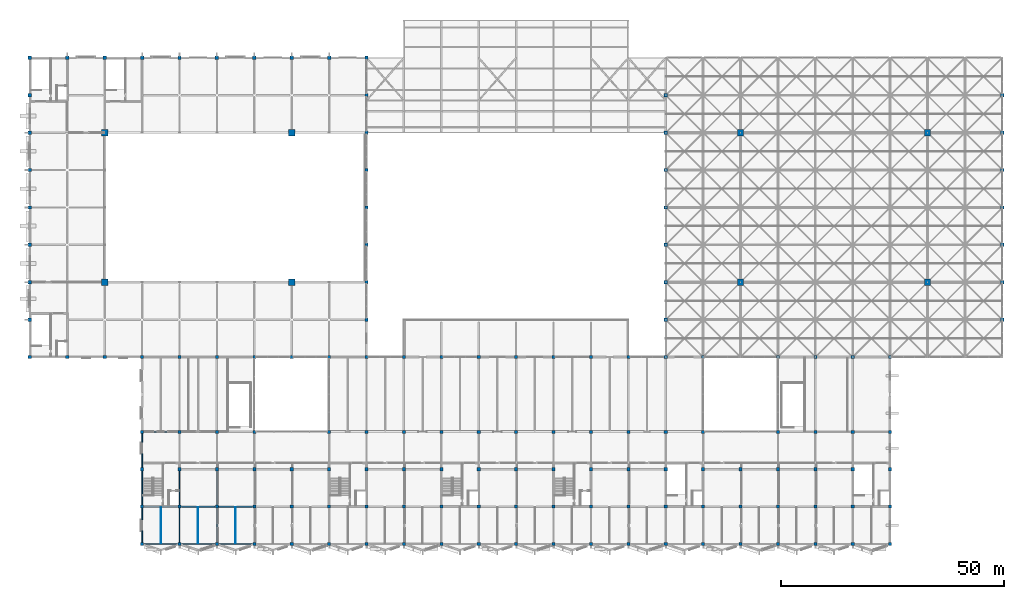
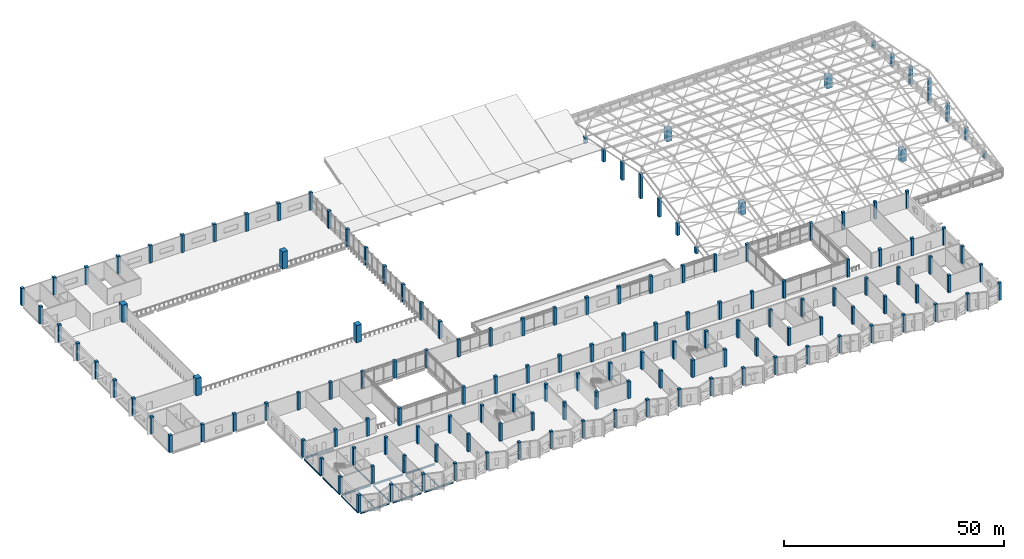
# One storey, part 1 of 110: 151 columns, 17 beams.
"""IFC4 building model written with IfcOpenShell, lengths in metres."""

from ifc_helpers import new_model, si_unit, direction, frame, origin, origin_2d, place, context, subcontext, project, spatial, rectangle, i_section, extrude, material, material_profile, profile_set, type_object, element, save


model = new_model("IFC4")

# Units and contexts
model_context = context("Model", 3, precision=1e-05, world=origin(), true_north=direction((0.0, 1.0)))
body_context = subcontext(model_context, "Body", "Model", "MODEL_VIEW")
ifc_project = project(units=[si_unit("LENGTHUNIT", "METRE"), si_unit("AREAUNIT", "SQUARE_METRE"), si_unit("VOLUMEUNIT", "CUBIC_METRE"), si_unit("PLANEANGLEUNIT", "RADIAN"), si_unit("MASSUNIT", "GRAM", prefix="KILO")], contexts=[model_context])

# Site, building, storey
site_placement = place(None, origin())
site = spatial("IfcSite", under=ifc_project, at=site_placement, CompositionType="ELEMENT")
building_placement = place(site_placement, origin())
building = spatial("IfcBuilding", under=site, at=building_placement, Name="Qawsi Khor Wholesale Market", CompositionType="ELEMENT")
storey_placement = place(building_placement, frame((0.0, 0.0, 11.39990234375)))
storey = spatial("IfcBuildingStorey", under=building, at=storey_placement, Name="L02", CompositionType="ELEMENT", Elevation=11.39990234375)

# Columns
ifc_material_1 = material(Name="Concrete C40/50", Category="concrete")
ifc_material_profile_1 = material_profile(ifc_material_1, rectangle(XDim=0.699951171875, YDim=0.699951171875, at=origin_2d()), Name="RC 700x700")
ifc_profile_set_1 = profile_set([ifc_material_profile_1], Name="Concrete C40/50")
column_type_1 = type_object("IfcColumnType", Name="Column RC 700x700", PredefinedType="COLUMN", material=ifc_profile_set_1)
for number, where, z_axis, x_axis, name in (
    (1, (25.199951171875, 0.0, 0.0), (0.0, 0.0, 1.0), (1.0, 0.0, 0.0), "Column RC 700x700 L02 (3,0)"),
    (2, (25.199951171875, 8.39990234375, 0.0), (0.0, 0.0, 1.0), (1.0, 0.0, 0.0), "Column RC 700x700 L02 (3,1)"),
    (3, (25.199951171875, 16.800048828125, 0.0), (0.0, 0.0, 1.0), (1.0, 0.0, 0.0), "Column RC 700x700 L02 (3,2)"),
    (4, (25.199951171875, 25.199951171875, 0.0), (0.0, 0.0, 1.0), (1.0, 0.0, 0.0), "Column RC 700x700 L02 (3,3)"),
    (5, (25.199951171875, 42.0, 0.0), (0.0, 0.0, 1.0), (1.0, 0.0, 0.0), "Column RC 700x700 L02 (3,5)"),
    (6, (33.60009765625, 0.0, 0.0), (0.0, 0.0, 1.0), (1.0, 0.0, 0.0), "Column RC 700x700 L02 (4,0)"),
    (7, (33.60009765625, 8.39990234375, 0.0), (0.0, 0.0, 1.0), (1.0, 0.0, 0.0), "Column RC 700x700 L02 (4,1)"),
    (8, (33.60009765625, 16.800048828125, 0.0), (0.0, 0.0, 1.0), (1.0, 0.0, 0.0), "Column RC 700x700 L02 (4,2)"),
    (9, (33.60009765625, 25.199951171875, 0.0), (0.0, 0.0, 1.0), (1.0, 0.0, 0.0), "Column RC 700x700 L02 (4,3)"),
    (10, (33.60009765625, 42.0, 0.0), (0.0, 0.0, 1.0), (1.0, 0.0, 0.0), "Column RC 700x700 L02 (4,5)"),
    (11, (42.0, 0.0, 0.0), (0.0, 0.0, 1.0), (1.0, 0.0, 0.0), "Column RC 700x700 L02 (5,0)"),
    (12, (42.0, 8.39990234375, 0.0), (0.0, 0.0, 1.0), (1.0, 0.0, 0.0), "Column RC 700x700 L02 (5,1)"),
    (13, (42.0, 16.800048828125, 0.0), (0.0, 0.0, 1.0), (1.0, 0.0, 0.0), "Column RC 700x700 L02 (5,2)"),
    (14, (42.0, 25.199951171875, 0.0), (0.0, 0.0, 1.0), (1.0, 0.0, 0.0), "Column RC 700x700 L02 (5,3)"),
    (15, (42.0, 42.0, 0.0), (0.0, 0.0, 1.0), (1.0, 0.0, 0.0), "Column RC 700x700 L02 (5,5)"),
    (16, (50.39990234375, 0.0, 0.0), (0.0, 0.0, 1.0), (1.0, 0.0, 0.0), "Column RC 700x700 L02 (6,0)"),
    (17, (50.39990234375, 8.39990234375, 0.0), (0.0, 0.0, 1.0), (1.0, 0.0, 0.0), "Column RC 700x700 L02 (6,1)"),
    (18, (50.39990234375, 16.800048828125, 0.0), (0.0, 0.0, 1.0), (1.0, 0.0, 0.0), "Column RC 700x700 L02 (6,2)"),
    (19, (50.39990234375, 25.199951171875, 0.0), (0.0, 0.0, 1.0), (1.0, 0.0, 0.0), "Column RC 700x700 L02 (6,3)"),
    (20, (50.39990234375, 42.0, 0.0), (0.0, 0.0, 1.0), (1.0, 0.0, 0.0), "Column RC 700x700 L02 (6,5)"),
    (21, (58.800048828125, 0.0, 0.0), (0.0, 0.0, 1.0), (1.0, 0.0, 0.0), "Column RC 700x700 L02 (7,0)"),
    (22, (58.800048828125, 8.39990234375, 0.0), (0.0, 0.0, 1.0), (1.0, 0.0, 0.0), "Column RC 700x700 L02 (7,1)"),
    (23, (58.800048828125, 16.800048828125, 0.0), (0.0, 0.0, 1.0), (1.0, 0.0, 0.0), "Column RC 700x700 L02 (7,2)"),
    (24, (67.199951171875, 0.0, 0.0), (0.0, 0.0, 1.0), (1.0, 0.0, 0.0), "Column RC 700x700 L02 (8,0)"),
    (25, (67.199951171875, 8.39990234375, 0.0), (0.0, 0.0, 1.0), (1.0, 0.0, 0.0), "Column RC 700x700 L02 (8,1)"),
    (26, (67.199951171875, 16.800048828125, 0.0), (0.0, 0.0, 1.0), (1.0, 0.0, 0.0), "Column RC 700x700 L02 (8,2)"),
    (27, (67.199951171875, 25.199951171875, 0.0), (0.0, 0.0, 1.0), (1.0, 0.0, 0.0), "Column RC 700x700 L02 (8,3)"),
    (28, (67.199951171875, 42.0, 0.0), (0.0, 0.0, 1.0), (1.0, 0.0, 0.0), "Column RC 700x700 L02 (8,5)"),
    (29, (75.60009765625, 0.0, 0.0), (0.0, 0.0, 1.0), (1.0, 0.0, 0.0), "Column RC 700x700 L02 (9,0)"),
    (30, (75.60009765625, 8.39990234375, 0.0), (0.0, 0.0, 1.0), (1.0, 0.0, 0.0), "Column RC 700x700 L02 (9,1)"),
    (31, (75.60009765625, 16.800048828125, 0.0), (0.0, 0.0, 1.0), (1.0, 0.0, 0.0), "Column RC 700x700 L02 (9,2)"),
    (32, (75.60009765625, 25.199951171875, 0.0), (0.0, 0.0, 1.0), (1.0, 0.0, 0.0), "Column RC 700x700 L02 (9,3)"),
    (33, (75.60009765625, 42.0, 0.0), (0.0, 0.0, 1.0), (1.0, 0.0, 0.0), "Column RC 700x700 L02 (9,5)"),
    (34, (84.0, 0.0, 0.0), (0.0, 0.0, 1.0), (1.0, 0.0, 0.0), "Column RC 700x700 L02 (10,0)"),
    (35, (84.0, 8.39990234375, 0.0), (0.0, 0.0, 1.0), (1.0, 0.0, 0.0), "Column RC 700x700 L02 (10,1)"),
    (36, (84.0, 16.800048828125, 0.0), (0.0, 0.0, 1.0), (1.0, 0.0, 0.0), "Column RC 700x700 L02 (10,2)"),
    (37, (84.0, 25.199951171875, 0.0), (0.0, 0.0, 1.0), (1.0, 0.0, 0.0), "Column RC 700x700 L02 (10,3)"),
    (38, (84.0, 42.0, 0.0), (0.0, 0.0, 1.0), (1.0, 0.0, 0.0), "Column RC 700x700 L02 (10,5)"),
    (39, (92.39990234375, 0.0, 0.0), (0.0, 0.0, 1.0), (1.0, 0.0, 0.0), "Column RC 700x700 L02 (11,0)"),
    (40, (92.39990234375, 8.39990234375, 0.0), (0.0, 0.0, 1.0), (1.0, 0.0, 0.0), "Column RC 700x700 L02 (11,1)"),
    (41, (92.39990234375, 16.800048828125, 0.0), (0.0, 0.0, 1.0), (1.0, 0.0, 0.0), "Column RC 700x700 L02 (11,2)"),
    (42, (92.39990234375, 25.199951171875, 0.0), (0.0, 0.0, 1.0), (1.0, 0.0, 0.0), "Column RC 700x700 L02 (11,3)"),
    (43, (92.39990234375, 42.0, 0.0), (0.0, 0.0, 1.0), (1.0, 0.0, 0.0), "Column RC 700x700 L02 (11,5)"),
    (44, (100.800048828125, 0.0, 0.0), (0.0, 0.0, 1.0), (1.0, 0.0, 0.0), "Column RC 700x700 L02 (12,0)"),
    (45, (100.800048828125, 8.39990234375, 0.0), (0.0, 0.0, 1.0), (1.0, 0.0, 0.0), "Column RC 700x700 L02 (12,1)"),
    (46, (100.800048828125, 16.800048828125, 0.0), (0.0, 0.0, 1.0), (1.0, 0.0, 0.0), "Column RC 700x700 L02 (12,2)"),
    (47, (100.800048828125, 25.199951171875, 0.0), (0.0, 0.0, 1.0), (1.0, 0.0, 0.0), "Column RC 700x700 L02 (12,3)"),
    (48, (100.800048828125, 42.0, 0.0), (0.0, 0.0, 1.0), (1.0, 0.0, 0.0), "Column RC 700x700 L02 (12,5)"),
    (49, (109.199951171875, 0.0, 0.0), (0.0, 0.0, 1.0), (1.0, 0.0, 0.0), "Column RC 700x700 L02 (13,0)"),
    (50, (109.199951171875, 8.39990234375, 0.0), (0.0, 0.0, 1.0), (1.0, 0.0, 0.0), "Column RC 700x700 L02 (13,1)"),
    (51, (109.199951171875, 16.800048828125, 0.0), (0.0, 0.0, 1.0), (1.0, 0.0, 0.0), "Column RC 700x700 L02 (13,2)"),
    (52, (109.199951171875, 25.199951171875, 0.0), (0.0, 0.0, 1.0), (1.0, 0.0, 0.0), "Column RC 700x700 L02 (13,3)"),
    (53, (109.199951171875, 42.0, 0.0), (0.0, 0.0, 1.0), (1.0, 0.0, 0.0), "Column RC 700x700 L02 (13,5)"),
    (54, (117.60009765625, 0.0, 0.0), (0.0, 0.0, 1.0), (1.0, 0.0, 0.0), "Column RC 700x700 L02 (14,0)"),
    (55, (117.60009765625, 8.39990234375, 0.0), (0.0, 0.0, 1.0), (1.0, 0.0, 0.0), "Column RC 700x700 L02 (14,1)"),
    (56, (117.60009765625, 16.800048828125, 0.0), (0.0, 0.0, 1.0), (1.0, 0.0, 0.0), "Column RC 700x700 L02 (14,2)"),
    (57, (117.60009765625, 25.199951171875, 0.0), (0.0, 0.0, 1.0), (1.0, 0.0, 0.0), "Column RC 700x700 L02 (14,3)"),
    (58, (117.60009765625, 42.0, 0.0), (0.0, 0.0, 1.0), (1.0, 0.0, 0.0), "Column RC 700x700 L02 (14,5)"),
    (59, (126.0, 0.0, 0.0), (0.0, 0.0, 1.0), (1.0, 0.0, 0.0), "Column RC 700x700 L02 (15,0)"),
    (60, (126.0, 8.39990234375, 0.0), (0.0, 0.0, 1.0), (1.0, 0.0, 0.0), "Column RC 700x700 L02 (15,1)"),
    (61, (126.0, 16.800048828125, 0.0), (0.0, 0.0, 1.0), (1.0, 0.0, 0.0), "Column RC 700x700 L02 (15,2)"),
    (62, (126.0, 25.199951171875, 0.0), (0.0, 0.0, 1.0), (1.0, 0.0, 0.0), "Column RC 700x700 L02 (15,3)"),
    (63, (126.0, 42.0, 0.0), (0.0, 0.0, 1.0), (1.0, 0.0, 0.0), "Column RC 700x700 L02 (15,5)"),
    (64, (134.39990234375, 0.0, 0.0), (0.0, 0.0, 1.0), (1.0, 0.0, 0.0), "Column RC 700x700 L02 (16,0)"),
    (65, (134.39990234375, 8.39990234375, 0.0), (0.0, 0.0, 1.0), (1.0, 0.0, 0.0), "Column RC 700x700 L02 (16,1)"),
    (66, (134.39990234375, 16.800048828125, 0.0), (0.0, 0.0, 1.0), (1.0, 0.0, 0.0), "Column RC 700x700 L02 (16,2)"),
    (67, (134.39990234375, 25.199951171875, 0.0), (0.0, 0.0, 1.0), (1.0, 0.0, 0.0), "Column RC 700x700 L02 (16,3)"),
    (68, (134.39990234375, 42.0, 0.0), (0.0, 0.0, 1.0), (1.0, 0.0, 0.0), "Column RC 700x700 L02 (16,5)"),
    (69, (142.800048828125, 0.0, 0.0), (0.0, 0.0, 1.0), (1.0, 0.0, 0.0), "Column RC 700x700 L02 (17,0)"),
    (70, (142.800048828125, 8.39990234375, 0.0), (0.0, 0.0, 1.0), (1.0, 0.0, 0.0), "Column RC 700x700 L02 (17,1)"),
    (71, (142.800048828125, 16.800048828125, 0.0), (0.0, 0.0, 1.0), (1.0, 0.0, 0.0), "Column RC 700x700 L02 (17,2)"),
    (72, (142.800048828125, 25.199951171875, 0.0), (0.0, 0.0, 1.0), (1.0, 0.0, 0.0), "Column RC 700x700 L02 (17,3)"),
    (73, (142.800048828125, 42.0, 0.0), (0.0, 0.0, 1.0), (1.0, 0.0, 0.0), "Column RC 700x700 L02 (17,5)"),
    (74, (151.199951171875, 0.0, 0.0), (0.0, 0.0, 1.0), (1.0, 0.0, 0.0), "Column RC 700x700 L02 (18,0)"),
    (75, (151.199951171875, 8.39990234375, 0.0), (0.0, 0.0, 1.0), (1.0, 0.0, 0.0), "Column RC 700x700 L02 (18,1)"),
    (76, (151.199951171875, 16.800048828125, 0.0), (0.0, 0.0, 1.0), (1.0, 0.0, 0.0), "Column RC 700x700 L02 (18,2)"),
    (77, (151.199951171875, 25.199951171875, 0.0), (0.0, 0.0, 1.0), (1.0, 0.0, 0.0), "Column RC 700x700 L02 (18,3)"),
    (78, (151.199951171875, 42.0, 0.0), (0.0, 0.0, 1.0), (1.0, 0.0, 0.0), "Column RC 700x700 L02 (18,5)"),
    (79, (159.60009765625, 0.0, 0.0), (0.0, 0.0, 1.0), (1.0, 0.0, 0.0), "Column RC 700x700 L02 (19,0)"),
    (80, (159.60009765625, 8.39990234375, 0.0), (0.0, 0.0, 1.0), (1.0, 0.0, 0.0), "Column RC 700x700 L02 (19,1)"),
    (81, (159.60009765625, 16.800048828125, 0.0), (0.0, 0.0, 1.0), (1.0, 0.0, 0.0), "Column RC 700x700 L02 (19,2)"),
    (82, (168.0, 0.0, 0.0), (0.0, 0.0, 1.0), (1.0, 0.0, 0.0), "Column RC 700x700 L02 (20,0)"),
    (83, (168.0, 8.39990234375, 0.0), (0.0, 0.0, 1.0), (1.0, 0.0, 0.0), "Column RC 700x700 L02 (20,1)"),
    (84, (168.0, 16.800048828125, 0.0), (0.0, 0.0, 1.0), (1.0, 0.0, 0.0), "Column RC 700x700 L02 (20,2)"),
    (85, (168.0, 25.199951171875, 0.0), (0.0, 0.0, 1.0), (1.0, 0.0, 0.0), "Column RC 700x700 L02 (20,3)"),
    (86, (168.0, 42.0, 0.0), (0.0, 0.0, 1.0), (1.0, 0.0, 0.0), "Column RC 700x700 L02 (20,5)"),
    (87, (176.39990234375, 0.0, 0.0), (0.0, 0.0, 1.0), (1.0, 0.0, 0.0), "Column RC 700x700 L02 (21,0)"),
    (88, (176.39990234375, 8.39990234375, 0.0), (0.0, 0.0, 1.0), (1.0, 0.0, 0.0), "Column RC 700x700 L02 (21,1)"),
    (89, (176.39990234375, 16.800048828125, 0.0), (0.0, 0.0, 1.0), (1.0, 0.0, 0.0), "Column RC 700x700 L02 (21,2)"),
    (90, (176.39990234375, 25.199951171875, 0.0), (0.0, 0.0, 1.0), (1.0, 0.0, 0.0), "Column RC 700x700 L02 (21,3)"),
    (91, (176.39990234375, 42.0, 0.0), (0.0, 0.0, 1.0), (1.0, 0.0, 0.0), "Column RC 700x700 L02 (21,5)"),
    (92, (184.800048828125, 0.0, 0.0), (0.0, 0.0, 1.0), (1.0, 0.0, 0.0), "Column RC 700x700 L02 (22,0)"),
    (93, (184.800048828125, 8.39990234375, 0.0), (0.0, 0.0, 1.0), (1.0, 0.0, 0.0), "Column RC 700x700 L02 (22,1)"),
    (94, (184.800048828125, 16.800048828125, 0.0), (0.0, 0.0, 1.0), (1.0, 0.0, 0.0), "Column RC 700x700 L02 (22,2)"),
    (95, (184.800048828125, 25.199951171875, 0.0), (0.0, 0.0, 1.0), (1.0, 0.0, 0.0), "Column RC 700x700 L02 (22,3)"),
    (96, (184.800048828125, 42.0, 0.0), (0.0, 0.0, 1.0), (1.0, 0.0, 0.0), "Column RC 700x700 L02 (22,5)"),
    (97, (193.199951171875, 0.0, 0.0), (0.0, 0.0, 1.0), (1.0, 0.0, 0.0), "Column RC 700x700 L02 (23,0)"),
    (98, (193.199951171875, 8.39990234375, 0.0), (0.0, 0.0, 1.0), (1.0, 0.0, 0.0), "Column RC 700x700 L02 (23,1)"),
    (99, (193.199951171875, 16.800048828125, 0.0), (0.0, 0.0, 1.0), (1.0, 0.0, 0.0), "Column RC 700x700 L02 (23,2)"),
    (100, (193.199951171875, 25.199951171875, 0.0), (0.0, 0.0, 1.0), (1.0, 0.0, 0.0), "Column RC 700x700 L02 (23,3)"),
    (101, (193.199951171875, 42.0, 0.0), (0.0, 0.0, 1.0), (1.0, 0.0, 0.0), "Column RC 700x700 L02 (23,5)"),
):
    element("IfcColumn", number, at=place(storey_placement, frame(where, z_axis=z_axis, x_axis=x_axis)), inside=storey, type_object=column_type_1, Name=name, PredefinedType="COLUMN", context=body_context, shape_type="SweptSolid", body=[
        extrude(rectangle(XDim=0.699951171875, YDim=0.699951171875, at=origin_2d()), origin(), (0.0, 0.0, 1.0), 4.800048828125),
    ])
ifc_material_profile_2 = material_profile(ifc_material_1, rectangle(XDim=0.75, YDim=0.75, at=origin_2d()), Name="RC 750x750")
ifc_profile_set_2 = profile_set([ifc_material_profile_2], Name="Concrete C40/50")
column_type_2 = type_object("IfcColumnType", Name="Column RC 750x750", PredefinedType="COLUMN", material=ifc_profile_set_2)
for number, where, z_axis, x_axis, name in (
    (102, (0.0, 42.0, 0.0), (0.0, 0.0, 1.0), (1.0, 0.0, 0.0), "Column RC 750x750 L02 (0,5)"),
    (103, (0.0, 50.39990234375, 0.0), (0.0, 0.0, 1.0), (1.0, 0.0, 0.0), "Column RC 750x750 L02 (0,6)"),
    (104, (0.0, 58.800048828125, 0.0), (0.0, 0.0, 1.0), (1.0, 0.0, 0.0), "Column RC 750x750 L02 (0,7)"),
    (105, (0.0, 67.199951171875, 0.0), (0.0, 0.0, 1.0), (1.0, 0.0, 0.0), "Column RC 750x750 L02 (0,8)"),
    (106, (0.0, 75.60009765625, 0.0), (0.0, 0.0, 1.0), (1.0, 0.0, 0.0), "Column RC 750x750 L02 (0,9)"),
    (107, (0.0, 84.0, 0.0), (0.0, 0.0, 1.0), (1.0, 0.0, 0.0), "Column RC 750x750 L02 (0,10)"),
    (108, (0.0, 92.39990234375, 0.0), (0.0, 0.0, 1.0), (1.0, 0.0, 0.0), "Column RC 750x750 L02 (0,11)"),
    (109, (0.0, 100.800048828125, 0.0), (0.0, 0.0, 1.0), (1.0, 0.0, 0.0), "Column RC 750x750 L02 (0,12)"),
    (110, (0.0, 109.199951171875, 0.0), (0.0, 0.0, 1.0), (1.0, 0.0, 0.0), "Column RC 750x750 L02 (0,13)"),
    (111, (8.39990234375, 42.0, 0.0), (0.0, 0.0, 1.0), (1.0, 0.0, 0.0), "Column RC 750x750 L02 (1,5)"),
    (112, (8.39990234375, 109.199951171875, 0.0), (0.0, 0.0, 1.0), (1.0, 0.0, 0.0), "Column RC 750x750 L02 (1,13)"),
    (113, (16.800048828125, 42.0, 0.0), (0.0, 0.0, 1.0), (1.0, 0.0, 0.0), "Column RC 750x750 L02 (2,5)"),
    (114, (16.800048828125, 109.199951171875, 0.0), (0.0, 0.0, 1.0), (1.0, 0.0, 0.0), "Column RC 750x750 L02 (2,13)"),
    (115, (25.199951171875, 109.199951171875, 0.0), (0.0, 0.0, 1.0), (1.0, 0.0, 0.0), "Column RC 750x750 L02 (3,13)"),
    (116, (33.60009765625, 109.199951171875, 0.0), (0.0, 0.0, 1.0), (1.0, 0.0, 0.0), "Column RC 750x750 L02 (4,13)"),
    (117, (42.0, 109.199951171875, 0.0), (0.0, 0.0, 1.0), (1.0, 0.0, 0.0), "Column RC 750x750 L02 (5,13)"),
    (118, (50.39990234375, 109.199951171875, 0.0), (0.0, 0.0, 1.0), (1.0, 0.0, 0.0), "Column RC 750x750 L02 (6,13)"),
    (119, (58.800048828125, 42.0, 0.0), (0.0, 0.0, 1.0), (1.0, 0.0, 0.0), "Column RC 750x750 L02 (7,5)"),
    (120, (58.800048828125, 109.199951171875, 0.0), (0.0, 0.0, 1.0), (1.0, 0.0, 0.0), "Column RC 750x750 L02 (7,13)"),
    (121, (67.199951171875, 109.199951171875, 0.0), (0.0, 0.0, 1.0), (1.0, 0.0, 0.0), "Column RC 750x750 L02 (8,13)"),
    (122, (75.60009765625, 50.39990234375, 0.0), (0.0, 0.0, 1.0), (1.0, 0.0, 0.0), "Column RC 750x750 L02 (9,6)"),
    (123, (75.60009765625, 58.800048828125, 0.0), (0.0, 0.0, 1.0), (1.0, 0.0, 0.0), "Column RC 750x750 L02 (9,7)"),
    (124, (75.60009765625, 67.199951171875, 0.0), (0.0, 0.0, 1.0), (1.0, 0.0, 0.0), "Column RC 750x750 L02 (9,8)"),
    (125, (75.60009765625, 75.60009765625, 0.0), (0.0, 0.0, 1.0), (1.0, 0.0, 0.0), "Column RC 750x750 L02 (9,9)"),
    (126, (75.60009765625, 84.0, 0.0), (0.0, 0.0, 1.0), (1.0, 0.0, 0.0), "Column RC 750x750 L02 (9,10)"),
    (127, (75.60009765625, 92.39990234375, 0.0), (0.0, 0.0, 1.0), (1.0, 0.0, 0.0), "Column RC 750x750 L02 (9,11)"),
    (128, (75.60009765625, 100.800048828125, 0.0), (0.0, 0.0, 1.0), (1.0, 0.0, 0.0), "Column RC 750x750 L02 (9,12)"),
    (129, (75.60009765625, 109.199951171875, 0.0), (0.0, 0.0, 1.0), (1.0, 0.0, 0.0), "Column RC 750x750 L02 (9,13)"),
):
    element("IfcColumn", number, at=place(storey_placement, frame(where, z_axis=z_axis, x_axis=x_axis)), inside=storey, type_object=column_type_2, Name=name, PredefinedType="COLUMN", context=body_context, shape_type="SweptSolid", body=[
        extrude(rectangle(XDim=0.75, YDim=0.75, at=origin_2d()), origin(), (0.0, 0.0, 1.0), 4.800048828125),
    ])
column_1_placement = place(storey_placement, frame((142.800048828125, 50.39990234375, 0.0), z_axis=(0.0, 0.0, 1.0), x_axis=(1.0, 0.0, 0.0)))
element("IfcColumn", 130, at=column_1_placement, inside=storey, type_object=column_type_2, Name="Space frame support pier EH (17,6)", PredefinedType="COLUMN", context=body_context, shape_type="SweptSolid", body=[
    extrude(rectangle(XDim=0.75, YDim=0.75, at=origin_2d()), origin(), (0.0, 0.0, 1.0), 1.670166015625),
])
column_2_placement = place(storey_placement, frame((142.800048828125, 58.800048828125, 0.0), z_axis=(0.0, 0.0, 1.0), x_axis=(1.0, 0.0, 0.0)))
element("IfcColumn", 131, at=column_2_placement, inside=storey, type_object=column_type_2, Name="Space frame support pier EH (17,7)", PredefinedType="COLUMN", context=body_context, shape_type="SweptSolid", body=[
    extrude(rectangle(XDim=0.75, YDim=0.75, at=origin_2d()), origin(), (0.0, 0.0, 1.0), 3.3701171875),
])
column_3_placement = place(storey_placement, frame((142.800048828125, 67.199951171875, 0.0), z_axis=(0.0, 0.0, 1.0), x_axis=(1.0, 0.0, 0.0)))
element("IfcColumn", 132, at=column_3_placement, inside=storey, type_object=column_type_2, Name="Space frame support pier EH (17,8)", PredefinedType="COLUMN", context=body_context, shape_type="SweptSolid", body=[
    extrude(rectangle(XDim=0.75, YDim=0.75, at=origin_2d()), origin(), (0.0, 0.0, 1.0), 5.070068359375),
])
column_4_placement = place(storey_placement, frame((142.800048828125, 75.60009765625, 0.0), z_axis=(0.0, 0.0, 1.0), x_axis=(1.0, 0.0, 0.0)))
element("IfcColumn", 133, at=column_4_placement, inside=storey, type_object=column_type_2, Name="Space frame support pier EH (17,9)", PredefinedType="COLUMN", context=body_context, shape_type="SweptSolid", body=[
    extrude(rectangle(XDim=0.75, YDim=0.75, at=origin_2d()), origin(), (0.0, 0.0, 1.0), 6.77001953125),
])
column_5_placement = place(storey_placement, frame((142.800048828125, 84.0, 0.0), z_axis=(0.0, 0.0, 1.0), x_axis=(1.0, 0.0, 0.0)))
element("IfcColumn", 134, at=column_5_placement, inside=storey, type_object=column_type_2, Name="Space frame support pier EH (17,10)", PredefinedType="COLUMN", context=body_context, shape_type="SweptSolid", body=[
    extrude(rectangle(XDim=0.75, YDim=0.75, at=origin_2d()), origin(), (0.0, 0.0, 1.0), 5.070068359375),
])
column_6_placement = place(storey_placement, frame((142.800048828125, 92.39990234375, 0.0), z_axis=(0.0, 0.0, 1.0), x_axis=(1.0, 0.0, 0.0)))
element("IfcColumn", 135, at=column_6_placement, inside=storey, type_object=column_type_2, Name="Space frame support pier EH (17,11)", PredefinedType="COLUMN", context=body_context, shape_type="SweptSolid", body=[
    extrude(rectangle(XDim=0.75, YDim=0.75, at=origin_2d()), origin(), (0.0, 0.0, 1.0), 3.3701171875),
])
for number, where, z_axis, x_axis, name in (
    (136, (142.800048828125, 100.800048828125, 0.0), (0.0, 0.0, 1.0), (1.0, 0.0, 0.0), "Space frame support pier EH (17,12)"),
    (137, (218.39990234375, 50.39990234375, 0.0), (0.0, 0.0, 1.0), (1.0, 0.0, 0.0), "Space frame support pier EH (26,6)"),
):
    element("IfcColumn", number, at=place(storey_placement, frame(where, z_axis=z_axis, x_axis=x_axis)), inside=storey, type_object=column_type_2, Name=name, PredefinedType="COLUMN", context=body_context, shape_type="SweptSolid", body=[
        extrude(rectangle(XDim=0.75, YDim=0.75, at=origin_2d()), origin(), (0.0, 0.0, 1.0), 1.670166015625),
    ])
column_7_placement = place(storey_placement, frame((218.39990234375, 58.800048828125, 0.0), z_axis=(0.0, 0.0, 1.0), x_axis=(1.0, 0.0, 0.0)))
element("IfcColumn", 138, at=column_7_placement, inside=storey, type_object=column_type_2, Name="Space frame support pier EH (26,7)", PredefinedType="COLUMN", context=body_context, shape_type="SweptSolid", body=[
    extrude(rectangle(XDim=0.75, YDim=0.75, at=origin_2d()), origin(), (0.0, 0.0, 1.0), 3.3701171875),
])
column_8_placement = place(storey_placement, frame((218.39990234375, 67.199951171875, 0.0), z_axis=(0.0, 0.0, 1.0), x_axis=(1.0, 0.0, 0.0)))
element("IfcColumn", 139, at=column_8_placement, inside=storey, type_object=column_type_2, Name="Space frame support pier EH (26,8)", PredefinedType="COLUMN", context=body_context, shape_type="SweptSolid", body=[
    extrude(rectangle(XDim=0.75, YDim=0.75, at=origin_2d()), origin(), (0.0, 0.0, 1.0), 5.070068359375),
])
column_9_placement = place(storey_placement, frame((218.39990234375, 75.60009765625, 0.0), z_axis=(0.0, 0.0, 1.0), x_axis=(1.0, 0.0, 0.0)))
element("IfcColumn", 140, at=column_9_placement, inside=storey, type_object=column_type_2, Name="Space frame support pier EH (26,9)", PredefinedType="COLUMN", context=body_context, shape_type="SweptSolid", body=[
    extrude(rectangle(XDim=0.75, YDim=0.75, at=origin_2d()), origin(), (0.0, 0.0, 1.0), 6.77001953125),
])
column_10_placement = place(storey_placement, frame((218.39990234375, 84.0, 0.0), z_axis=(0.0, 0.0, 1.0), x_axis=(1.0, 0.0, 0.0)))
element("IfcColumn", 141, at=column_10_placement, inside=storey, type_object=column_type_2, Name="Space frame support pier EH (26,10)", PredefinedType="COLUMN", context=body_context, shape_type="SweptSolid", body=[
    extrude(rectangle(XDim=0.75, YDim=0.75, at=origin_2d()), origin(), (0.0, 0.0, 1.0), 5.070068359375),
])
column_11_placement = place(storey_placement, frame((218.39990234375, 92.39990234375, 0.0), z_axis=(0.0, 0.0, 1.0), x_axis=(1.0, 0.0, 0.0)))
element("IfcColumn", 142, at=column_11_placement, inside=storey, type_object=column_type_2, Name="Space frame support pier EH (26,11)", PredefinedType="COLUMN", context=body_context, shape_type="SweptSolid", body=[
    extrude(rectangle(XDim=0.75, YDim=0.75, at=origin_2d()), origin(), (0.0, 0.0, 1.0), 3.3701171875),
])
column_12_placement = place(storey_placement, frame((218.39990234375, 100.800048828125, 0.0), z_axis=(0.0, 0.0, 1.0), x_axis=(1.0, 0.0, 0.0)))
element("IfcColumn", 143, at=column_12_placement, inside=storey, type_object=column_type_2, Name="Space frame support pier EH (26,12)", PredefinedType="COLUMN", context=body_context, shape_type="SweptSolid", body=[
    extrude(rectangle(XDim=0.75, YDim=0.75, at=origin_2d()), origin(), (0.0, 0.0, 1.0), 1.670166015625),
])
ifc_material_profile_3 = material_profile(ifc_material_1, rectangle(XDim=1.39990234375, YDim=1.39990234375, at=origin_2d()), Name="RC 1400x1400")
ifc_profile_set_3 = profile_set([ifc_material_profile_3], Name="Concrete C40/50")
column_type_3 = type_object("IfcColumnType", Name="Hall Mega-Column RC 1400x1400", PredefinedType="COLUMN", material=ifc_profile_set_3)
for number, where, z_axis, x_axis, name in (
    (144, (16.800048828125, 58.800048828125, 0.0), (0.0, 0.0, 1.0), (1.0, 0.0, 0.0), "Hall Mega-Column RC 1400x1400 L02 (2,7)"),
    (145, (16.800048828125, 92.39990234375, 0.0), (0.0, 0.0, 1.0), (1.0, 0.0, 0.0), "Hall Mega-Column RC 1400x1400 L02 (2,11)"),
    (146, (58.800048828125, 58.800048828125, 0.0), (0.0, 0.0, 1.0), (1.0, 0.0, 0.0), "Hall Mega-Column RC 1400x1400 L02 (7,7)"),
    (147, (58.800048828125, 92.39990234375, 0.0), (0.0, 0.0, 1.0), (1.0, 0.0, 0.0), "Hall Mega-Column RC 1400x1400 L02 (7,11)"),
):
    element("IfcColumn", number, at=place(storey_placement, frame(where, z_axis=z_axis, x_axis=x_axis)), inside=storey, type_object=column_type_3, Name=name, PredefinedType="COLUMN", context=body_context, shape_type="SweptSolid", body=[
        extrude(rectangle(XDim=1.39990234375, YDim=1.39990234375, at=origin_2d()), origin(), (0.0, 0.0, 1.0), 4.800048828125),
    ])
for number, where, z_axis, x_axis, name in (
    (148, (159.60009765625, 58.800048828125, 0.0), (0.0, 0.0, 1.0), (1.0, 0.0, 0.0), "Space frame support pier EH (19,7)"),
    (149, (159.60009765625, 92.39990234375, 0.0), (0.0, 0.0, 1.0), (1.0, 0.0, 0.0), "Space frame support pier EH (19,11)"),
    (150, (201.60009765625, 58.800048828125, 0.0), (0.0, 0.0, 1.0), (1.0, 0.0, 0.0), "Space frame support pier EH (24,7)"),
    (151, (201.60009765625, 92.39990234375, 0.0), (0.0, 0.0, 1.0), (1.0, 0.0, 0.0), "Space frame support pier EH (24,11)"),
):
    element("IfcColumn", number, at=place(storey_placement, frame(where, z_axis=z_axis, x_axis=x_axis)), inside=storey, type_object=column_type_3, Name=name, PredefinedType="COLUMN", context=body_context, shape_type="SweptSolid", body=[
        extrude(rectangle(XDim=1.39990234375, YDim=1.39990234375, at=origin_2d()), origin(), (0.0, 0.0, 1.0), 3.3701171875),
    ])

# Beams
ifc_material_2 = material(Name="Steel S355", Category="steel")
ifc_material_profile_4 = material_profile(ifc_material_2, i_section(OverallWidth=0.300048828125, OverallDepth=0.449951171875, WebThickness=0.013916015625, FlangeThickness=0.02587890625, FilletRadius=0.027099609375, at=origin_2d()), Name="HEB 450")
ifc_profile_set_4 = profile_set([ifc_material_profile_4], Name="Steel S355")
beam_type_1 = type_object("IfcBeamType", Name="Heavy Edge Girder HEB 450", PredefinedType="BEAM", material=ifc_profile_set_4)
beam_1_placement = place(storey_placement, frame((25.60009765625, 0.0, -0.5048828125), z_axis=(1.0, 0.0, 0.0), x_axis=(0.0, 1.0, 0.0)))
element("IfcBeam", 152, at=beam_1_placement, inside=storey, type_object=beam_type_1, Name="BM-X-L02-03_+00", PredefinedType="BEAM", context=body_context, shape_type="SweptSolid", body=[
    extrude(i_section(OverallWidth=0.300048828125, OverallDepth=0.449951171875, WebThickness=0.013916015625, FlangeThickness=0.02587890625, FilletRadius=0.027099609375, at=origin_2d()), origin(), (0.0, 0.0, 1.0), 7.599853515625),
])
for number, where, z_axis, x_axis, name in (
    (153, (34.0, 0.0, -0.5048828125), (1.0, 0.0, 0.0), (0.0, 1.0, 0.0), "BM-X-L02-04_+00"),
    (154, (42.39990234375, 0.0, -0.5048828125), (1.0, 0.0, 0.0), (0.0, 1.0, 0.0), "BM-X-L02-05_+00"),
):
    element("IfcBeam", number, at=place(storey_placement, frame(where, z_axis=z_axis, x_axis=x_axis)), inside=storey, type_object=beam_type_1, Name=name, PredefinedType="BEAM", context=body_context, shape_type="SweptSolid", body=[
        extrude(i_section(OverallWidth=0.300048828125, OverallDepth=0.449951171875, WebThickness=0.013916015625, FlangeThickness=0.02587890625, FilletRadius=0.027099609375, at=origin_2d()), origin(), (0.0, 0.0, 1.0), 7.60009765625),
    ])
ifc_material_profile_5 = material_profile(ifc_material_2, i_section(OverallWidth=0.300048828125, OverallDepth=0.489990234375, WebThickness=0.011962890625, FlangeThickness=0.02294921875, FilletRadius=0.027099609375, at=origin_2d()), Name="HEA 500")
ifc_profile_set_5 = profile_set([ifc_material_profile_5], Name="Steel S355")
beam_type_2 = type_object("IfcBeamType", Name="Primary Girder HEA 500", PredefinedType="BEAM", material=ifc_profile_set_5)
for number, where, z_axis, x_axis, name in (
    (155, (25.60009765625, 8.39990234375, -0.52490234375), (1.0, 0.0, 0.0), (0.0, 1.0, 0.0), "BM-X-L02-03_+01"),
    (156, (25.60009765625, 25.199951171875, -0.52490234375), (1.0, 0.0, 0.0), (0.0, 1.0, 0.0), "BM-X-L02-03_+03"),
):
    element("IfcBeam", number, at=place(storey_placement, frame(where, z_axis=z_axis, x_axis=x_axis)), inside=storey, type_object=beam_type_2, Name=name, PredefinedType="BEAM", context=body_context, shape_type="SweptSolid", body=[
        extrude(i_section(OverallWidth=0.300048828125, OverallDepth=0.489990234375, WebThickness=0.011962890625, FlangeThickness=0.02294921875, FilletRadius=0.027099609375, at=origin_2d()), origin(), (0.0, 0.0, 1.0), 7.599853515625),
    ])
for number, where, z_axis, x_axis, name in (
    (157, (34.0, 8.39990234375, -0.52490234375), (1.0, 0.0, 0.0), (0.0, 1.0, 0.0), "BM-X-L02-04_+01"),
    (158, (42.39990234375, 8.39990234375, -0.52490234375), (1.0, 0.0, 0.0), (0.0, 1.0, 0.0), "BM-X-L02-05_+01"),
):
    element("IfcBeam", number, at=place(storey_placement, frame(where, z_axis=z_axis, x_axis=x_axis)), inside=storey, type_object=beam_type_2, Name=name, PredefinedType="BEAM", context=body_context, shape_type="SweptSolid", body=[
        extrude(i_section(OverallWidth=0.300048828125, OverallDepth=0.489990234375, WebThickness=0.011962890625, FlangeThickness=0.02294921875, FilletRadius=0.027099609375, at=origin_2d()), origin(), (0.0, 0.0, 1.0), 7.60009765625),
    ])
ifc_material_profile_6 = material_profile(ifc_material_2, i_section(OverallWidth=0.179931640625, OverallDepth=0.39990234375, WebThickness=0.008544921875, FlangeThickness=0.013427734375, FilletRadius=0.02099609375, at=origin_2d()), Name="IPE 400")
ifc_profile_set_6 = profile_set([ifc_material_profile_6], Name="Steel S355")
beam_type_3 = type_object("IfcBeamType", Name="Secondary Beam IPE 400", PredefinedType="BEAM", material=ifc_profile_set_6)
beam_2_placement = place(storey_placement, frame((25.199951171875, 0.39990234375, -0.47998046875), z_axis=(0.0, 1.0, 0.0), x_axis=(-1.0, 0.0, 0.0)))
element("IfcBeam", 159, at=beam_2_placement, inside=storey, type_object=beam_type_3, Name="BM-Y-L02-03_+00", PredefinedType="BEAM", context=body_context, shape_type="SweptSolid", body=[
    extrude(i_section(OverallWidth=0.179931640625, OverallDepth=0.39990234375, WebThickness=0.008544921875, FlangeThickness=0.013427734375, FilletRadius=0.02099609375, at=origin_2d()), origin(), (0.0, 0.0, 1.0), 7.60009765625),
])
beam_3_placement = place(storey_placement, frame((25.199951171875, 8.800048828125, -0.47998046875), z_axis=(0.0, 1.0, 0.0), x_axis=(-1.0, 0.0, 0.0)))
element("IfcBeam", 160, at=beam_3_placement, inside=storey, type_object=beam_type_3, Name="BM-Y-L02-03_+01", PredefinedType="BEAM", context=body_context, shape_type="SweptSolid", body=[
    extrude(i_section(OverallWidth=0.179931640625, OverallDepth=0.39990234375, WebThickness=0.008544921875, FlangeThickness=0.013427734375, FilletRadius=0.02099609375, at=origin_2d()), origin(), (0.0, 0.0, 1.0), 7.599853515625),
])
for number, where, z_axis, x_axis, name in (
    (161, (25.199951171875, 17.199951171875, -0.47998046875), (0.0, 1.0, 0.0), (-1.0, 0.0, 0.0), "BM-Y-L02-03_+02"),
    (162, (33.60009765625, 0.39990234375, -0.47998046875), (0.0, 1.0, 0.0), (-1.0, 0.0, 0.0), "BM-Y-L02-04_+00"),
):
    element("IfcBeam", number, at=place(storey_placement, frame(where, z_axis=z_axis, x_axis=x_axis)), inside=storey, type_object=beam_type_3, Name=name, PredefinedType="BEAM", context=body_context, shape_type="SweptSolid", body=[
        extrude(i_section(OverallWidth=0.179931640625, OverallDepth=0.39990234375, WebThickness=0.008544921875, FlangeThickness=0.013427734375, FilletRadius=0.02099609375, at=origin_2d()), origin(), (0.0, 0.0, 1.0), 7.60009765625),
    ])
beam_4_placement = place(storey_placement, frame((33.60009765625, 8.800048828125, -0.47998046875), z_axis=(0.0, 1.0, 0.0), x_axis=(-1.0, 0.0, 0.0)))
element("IfcBeam", 163, at=beam_4_placement, inside=storey, type_object=beam_type_3, Name="BM-Y-L02-04_+01", PredefinedType="BEAM", context=body_context, shape_type="SweptSolid", body=[
    extrude(i_section(OverallWidth=0.179931640625, OverallDepth=0.39990234375, WebThickness=0.008544921875, FlangeThickness=0.013427734375, FilletRadius=0.02099609375, at=origin_2d()), origin(), (0.0, 0.0, 1.0), 7.599853515625),
])
beam_5_placement = place(storey_placement, frame((42.0, 0.39990234375, -0.47998046875), z_axis=(0.0, 1.0, 0.0), x_axis=(-1.0, 0.0, 0.0)))
element("IfcBeam", 164, at=beam_5_placement, inside=storey, type_object=beam_type_3, Name="BM-Y-L02-05_+00", PredefinedType="BEAM", context=body_context, shape_type="SweptSolid", body=[
    extrude(i_section(OverallWidth=0.179931640625, OverallDepth=0.39990234375, WebThickness=0.008544921875, FlangeThickness=0.013427734375, FilletRadius=0.02099609375, at=origin_2d()), origin(), (0.0, 0.0, 1.0), 7.60009765625),
])
beam_6_placement = place(storey_placement, frame((42.0, 8.800048828125, -0.47998046875), z_axis=(0.0, 1.0, 0.0), x_axis=(-1.0, 0.0, 0.0)))
element("IfcBeam", 165, at=beam_6_placement, inside=storey, type_object=beam_type_3, Name="BM-Y-L02-05_+01", PredefinedType="BEAM", context=body_context, shape_type="SweptSolid", body=[
    extrude(i_section(OverallWidth=0.179931640625, OverallDepth=0.39990234375, WebThickness=0.008544921875, FlangeThickness=0.013427734375, FilletRadius=0.02099609375, at=origin_2d()), origin(), (0.0, 0.0, 1.0), 7.599853515625),
])
ifc_material_profile_7 = material_profile(ifc_material_2, i_section(OverallWidth=0.110107421875, OverallDepth=0.219970703125, WebThickness=0.005859375, FlangeThickness=0.00927734375, FilletRadius=0.011962890625, at=origin_2d()), Name="IPE 220")
ifc_profile_set_7 = profile_set([ifc_material_profile_7], Name="Steel S355")
beam_type_4 = type_object("IfcBeamType", Name="Terrace Joist IPE 220", PredefinedType="JOIST", material=ifc_profile_set_7)
for number, where, z_axis, x_axis, name in (
    (166, (29.39990234375, 0.14990234375, -0.389892578125), (0.0, 1.0, 0.0), (-1.0, 0.0, 0.0), "JST-S-L02-03"),
    (167, (37.800048828125, 0.14990234375, -0.389892578125), (0.0, 1.0, 0.0), (-1.0, 0.0, 0.0), "JST-S-L02-04"),
    (168, (46.199951171875, 0.14990234375, -0.389892578125), (0.0, 1.0, 0.0), (-1.0, 0.0, 0.0), "JST-S-L02-05"),
):
    element("IfcBeam", number, at=place(storey_placement, frame(where, z_axis=z_axis, x_axis=x_axis)), inside=storey, type_object=beam_type_4, Name=name, PredefinedType="JOIST", context=body_context, shape_type="SweptSolid", body=[
        extrude(i_section(OverallWidth=0.110107421875, OverallDepth=0.219970703125, WebThickness=0.005859375, FlangeThickness=0.00927734375, FilletRadius=0.011962890625, at=origin_2d()), origin(), (0.0, 0.0, 1.0), 8.10009765625),
    ])

save(model, "model.ifc")
